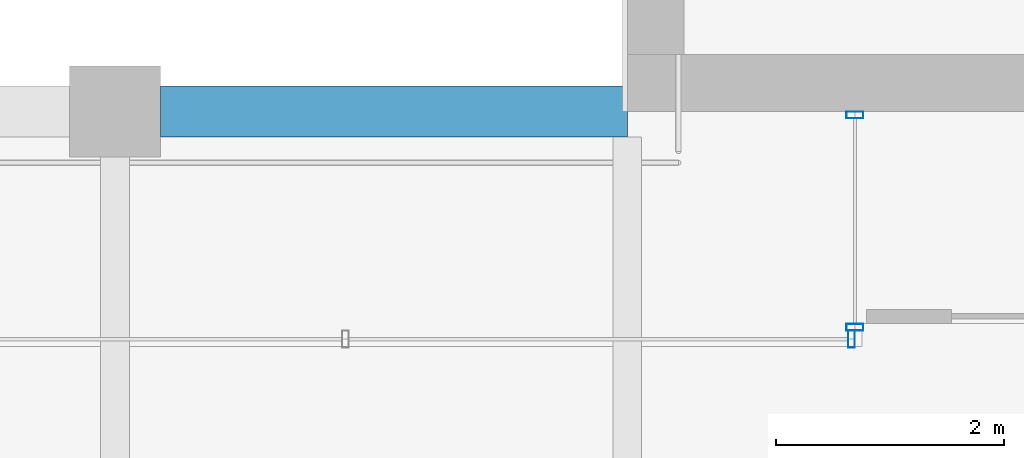
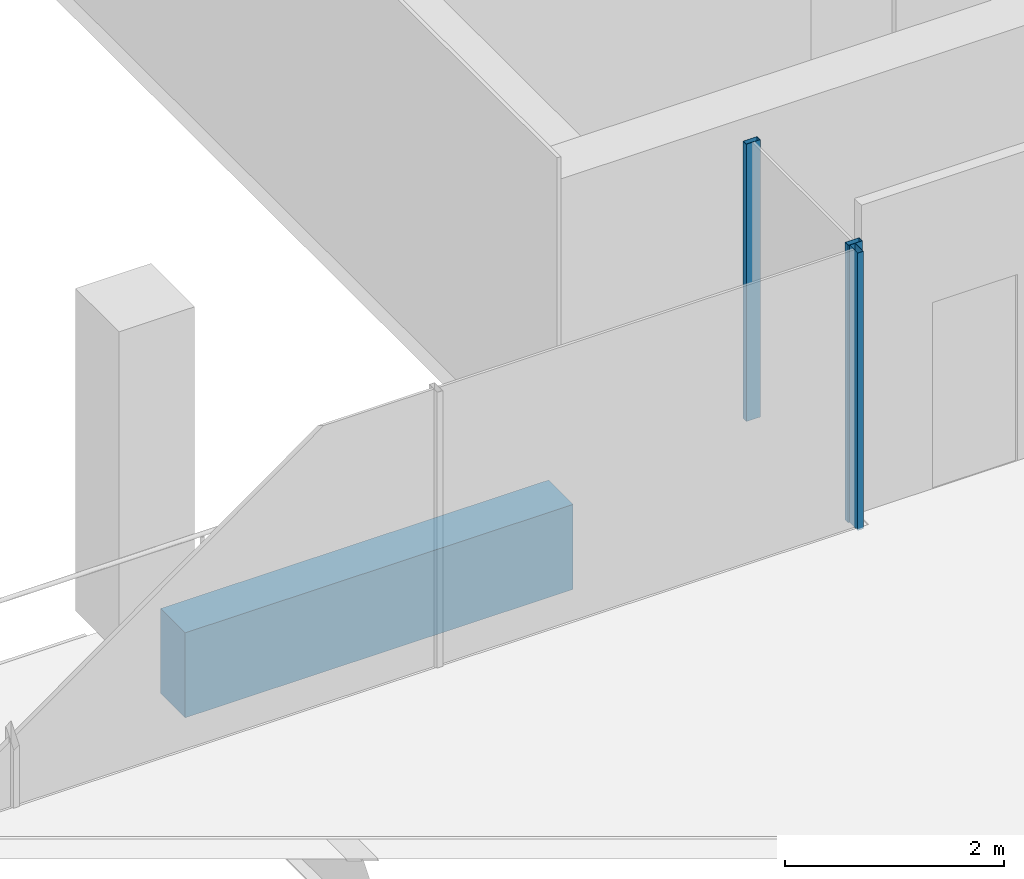
# One storey, part 6 of 30: 3 members, 1 beam, 2 elements without a shape of their own.
"""IFC4 building model written with IfcOpenShell, lengths in metres."""

from ifc_helpers import new_model, si_unit, direction, frame, origin, origin_2d, place, context, subcontext, project, spatial, rectangle, hollow_rectangle, extrude, material, material_profile, profile_set, type_object, element, aggregate, save


model = new_model("IFC4")

# Units and contexts
model_context = context("Model", 3, precision=1e-05, world=origin(), true_north=direction((0.0, 1.0)))
body_context = subcontext(model_context, "Body", "Model", "MODEL_VIEW")
ifc_project = project(units=[si_unit("LENGTHUNIT", "METRE"), si_unit("AREAUNIT", "SQUARE_METRE"), si_unit("VOLUMEUNIT", "CUBIC_METRE"), si_unit("PLANEANGLEUNIT", "RADIAN"), si_unit("MASSUNIT", "GRAM", prefix="KILO")], contexts=[model_context])

# Site, building, storey
site_placement = place(None, origin())
site = spatial("IfcSite", under=ifc_project, at=site_placement, CompositionType="ELEMENT")
building_placement = place(site_placement, origin())
building = spatial("IfcBuilding", under=site, at=building_placement, Name="Altepetl Exchange Towers", CompositionType="ELEMENT")
storey_placement = place(building_placement, frame((0.0, 0.0, 238.800048828125)))
storey = spatial("IfcBuildingStorey", under=building, at=storey_placement, Name="L61", CompositionType="ELEMENT", Elevation=238.800048828125)

# Curtain wall, members
ifc_material_1 = material(Name="Aluminium 6063-T6 glazing", Category="aluminium")
curtain_wall_type = type_object("IfcCurtainWallType", Name="Loggia glazing system", PredefinedType="NOTDEFINED", material=ifc_material_1)
curtain_wall_1_placement = place(storey_placement, origin())
curtain_wall_1 = element("IfcCurtainWall", 1, at=curtain_wall_1_placement, inside=storey, type_object=curtain_wall_type, Name="CW1 run", PredefinedType="NOTDEFINED")
ifc_material_2 = material(Name="Aluminium 6063-T6", Category="aluminium")
ifc_material_profile_1 = material_profile(ifc_material_2, hollow_rectangle(XDim=0.06005859375, YDim=0.14990234375, WallThickness=0.0029296875, at=origin_2d()), Name="Mullion 60x150 aluminium")
ifc_profile_set_1 = profile_set([ifc_material_profile_1], Name="Aluminium 6063-T6")
member_type = type_object("IfcMemberType", Name="Mullion 60x150 aluminium", PredefinedType="MULLION", material=ifc_profile_set_1)
member_1_placement = place(storey_placement, frame((42.5, 40.469970703125, 0.0), z_axis=(0.0, 0.0, 1.0), x_axis=(0.0, -1.0, 0.0)))
member_1 = element("IfcMember", 2, at=member_1_placement, type_object=member_type, Name="MU1 mullion", PredefinedType="MULLION", context=body_context, shape_type="SweptSolid", body=[
    extrude(hollow_rectangle(XDim=0.06005859375, YDim=0.14990234375, WallThickness=0.0029296875, at=origin_2d()), origin(), (0.0, 0.0, 1.0), 3.099853515625),
])
member_2_placement = place(storey_placement, frame((42.5, 38.60498046875, 0.0), z_axis=(0.0, 0.0, 1.0), x_axis=(0.0, -1.0, 0.0)))
member_2 = element("IfcMember", 3, at=member_2_placement, type_object=member_type, Name="MU1 mullion", PredefinedType="MULLION", context=body_context, shape_type="SweptSolid", body=[
    extrude(hollow_rectangle(XDim=0.06005859375, YDim=0.14990234375, WallThickness=0.0029296875, at=origin_2d()), origin(), (0.0, 0.0, 1.0), 3.099853515625),
])
aggregate(curtain_wall_1, [member_1, member_2])

# Curtain wall, member
curtain_wall_2_placement = place(storey_placement, origin())
curtain_wall_2 = element("IfcCurtainWall", 4, at=curtain_wall_2_placement, inside=storey, type_object=curtain_wall_type, Name="CW1 run", PredefinedType="NOTDEFINED")
member_3_placement = place(storey_placement, frame((42.469970703125, 38.5, 0.0), z_axis=(0.0, 0.0, 1.0), x_axis=(-1.0, 0.0, 0.0)))
member_3 = element("IfcMember", 5, at=member_3_placement, type_object=member_type, Name="MU1 mullion", PredefinedType="MULLION", context=body_context, shape_type="SweptSolid", body=[
    extrude(hollow_rectangle(XDim=0.06005859375, YDim=0.14990234375, WallThickness=0.0029296875, at=origin_2d()), origin(), (0.0, 0.0, 1.0), 3.099853515625),
])
aggregate(curtain_wall_2, [member_3])

# Beam
ifc_material_3 = material(Name="Concrete C50/60 precast with tezontle facing", Category="concrete")
ifc_material_profile_2 = material_profile(ifc_material_3, rectangle(XDim=0.449951171875, YDim=0.949951171875, at=origin_2d()), Name="450 x 950")
ifc_profile_set_2 = profile_set([ifc_material_profile_2], Name="Concrete C50/60 precast with tezontle facing")
beam_type = type_object("IfcBeamType", Name="Spandrel beam 450x950 tezontle", PredefinedType="SPANDREL", material=ifc_profile_set_2)
beam_placement = place(storey_placement, frame((40.5, 40.5, -0.625), z_axis=(-1.0, 0.0, 0.0), x_axis=(0.0, -1.0, 0.0)))
element("IfcBeam", 6, at=beam_placement, inside=storey, type_object=beam_type, Name="sp:A:L61:033", PredefinedType="SPANDREL", context=body_context, shape_type="SweptSolid", body=[
    extrude(rectangle(XDim=0.449951171875, YDim=0.949951171875, at=origin_2d()), origin(), (0.0, 0.0, 1.0), 4.10009765625),
])

save(model, "model.ifc")
